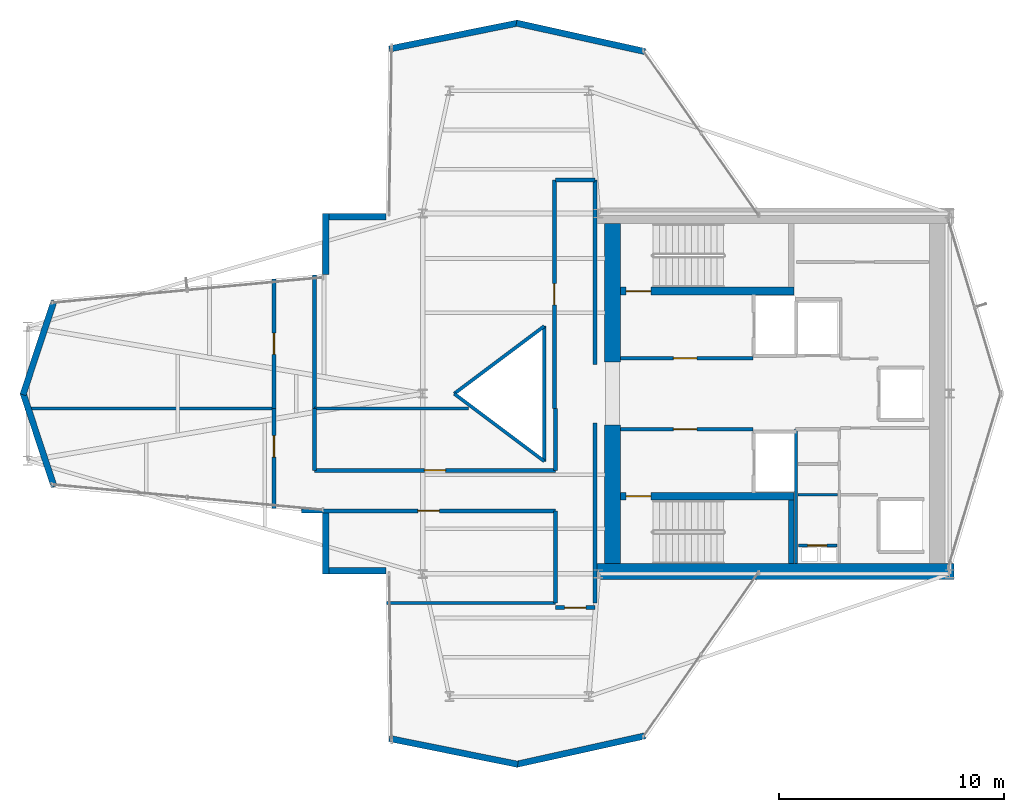
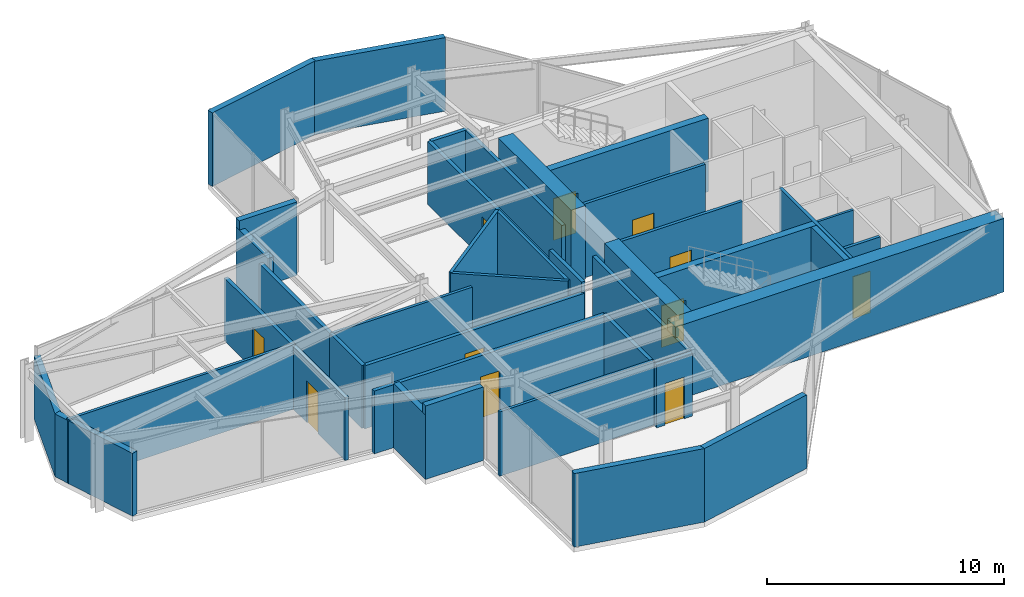
# One storey, part 20 of 22: 40 walls, 11 doors, 11 openings.
"""IFC4 building model written with IfcOpenShell, lengths in metres."""

from ifc_helpers import new_model, si_unit, direction, frame, frame_2d, origin, place, context, subcontext, project, spatial, rectangle, extrude, material, layer, layer_set, type_object, element, fill, save


model = new_model("IFC4")

# Units and contexts
model_context = context("Model", 3, precision=1e-05, world=origin(), true_north=direction((0.0, 1.0)))
body_context = subcontext(model_context, "Body", "Model", "MODEL_VIEW")
ifc_project = project(units=[si_unit("LENGTHUNIT", "METRE"), si_unit("AREAUNIT", "SQUARE_METRE"), si_unit("VOLUMEUNIT", "CUBIC_METRE"), si_unit("PLANEANGLEUNIT", "RADIAN"), si_unit("MASSUNIT", "GRAM", prefix="KILO")], contexts=[model_context])

# Site, building, storey
site_placement = place(None, origin())
site = spatial("IfcSite", under=ifc_project, at=site_placement, CompositionType="ELEMENT")
building_placement = place(site_placement, origin())
building = spatial("IfcBuilding", under=site, at=building_placement, Name="Veymaron Broadcast Tower", CompositionType="ELEMENT")
storey_placement = place(building_placement, frame((0.0, 0.0, 216.14990234375)))
storey = spatial("IfcBuildingStorey", under=building, at=storey_placement, Name="L50", CompositionType="ELEMENT", Elevation=216.14990234375)

# Walls
ifc_material_1 = material(Name="Precast concrete C40/50", Category="concrete")
ifc_layer_1 = layer(ifc_material_1, 0.280029296875)
ifc_layer_set_1 = layer_set([ifc_layer_1], Name="Precast concrete C40/50")
wall_type_1 = type_object("IfcWallType", Name="WALL-EXT-280", PredefinedType="STANDARD", material=ifc_layer_set_1)
wall_1_placement = place(storey_placement, frame((41.072021484375, 39.193359375, 0.0), z_axis=(0.0, 0.0, 1.0), x_axis=(-0.976309738065, 0.216377668346, 0.0)))
element("IfcWall", 1, at=wall_1_placement, inside=storey, type_object=wall_type_1, Name="L50 notched corner facade pier 6-1", PredefinedType="STANDARD", context=body_context, shape_type="SweptSolid", body=[
    extrude(rectangle(XDim=5.845703125, YDim=0.280029296875, at=frame_2d((2.9228515625, 0.0))), origin(), (0.0, 0.0, 1.0), 3.7900390625),
])
wall_2_placement = place(storey_placement, frame((35.422607421875, 40.457763671875, 0.0), z_axis=(0.0, 0.0, 1.0), x_axis=(-0.98030065813, -0.197511062146, 0.0)))
element("IfcWall", 2, at=wall_2_placement, inside=storey, type_object=wall_type_1, Name="L50 notched corner facade pier 7-1", PredefinedType="STANDARD", context=body_context, shape_type="SweptSolid", body=[
    extrude(rectangle(XDim=5.822021484375, YDim=0.280029296875, at=frame_2d((2.9111328125, 0.0))), origin(), (0.0, 0.0, 1.0), 3.7900390625),
])
wall_3_placement = place(storey_placement, frame((29.572509765625, 31.860107421875, 0.0), z_axis=(0.0, 0.0, 1.0), x_axis=(-1.0, 0.0, 0.0)))
element("IfcWall", 3, at=wall_3_placement, inside=storey, type_object=wall_type_1, Name="L50 notched corner facade pier 9-1", PredefinedType="STANDARD", context=body_context, shape_type="SweptSolid", body=[
    extrude(rectangle(XDim=2.8125, YDim=0.280029296875, at=frame_2d((1.40625, 0.0))), origin(), (0.0, 0.0, 1.0), 3.7900390625),
])
wall_4_placement = place(storey_placement, frame((26.89990234375, 32.0, 0.0), z_axis=(0.0, 0.0, 1.0), x_axis=(0.0, -1.0, 0.0)))
element("IfcWall", 4, at=wall_4_placement, inside=storey, type_object=wall_type_1, Name="L50 notched corner facade pier 10-1", PredefinedType="STANDARD", context=body_context, shape_type="SweptSolid", body=[
    extrude(rectangle(XDim=2.69970703125, YDim=0.280029296875, at=frame_2d((1.349853515625, 0.0))), origin(), (0.0, 0.0, 1.0), 3.319091796875),
])
for number, where, z_axis, x_axis, name in (
    (5, (14.8330078125, 28.126708984375, 0.0), (0.0, 0.0, 1.0), (-0.314159663404, -0.949370162734, 0.0), "L50 notched corner facade pier 12-1"),
    (6, (13.452880859375, 24.0439453125, 0.0), (0.0, 0.0, 1.0), (0.314159663404, -0.949370162734, 0.0), "L50 notched corner facade pier 13-1"),
):
    element("IfcWall", number, at=place(storey_placement, frame(where, z_axis=z_axis, x_axis=x_axis)), inside=storey, type_object=wall_type_1, Name=name, PredefinedType="STANDARD", context=body_context, shape_type="SweptSolid", body=[
        extrude(rectangle(XDim=4.39306640625, YDim=0.280029296875, at=frame_2d((2.196533203125, 0.0))), origin(), (0.0, 0.0, 1.0), 3.2412109375),
    ])
wall_5_placement = place(storey_placement, frame((26.89990234375, 18.69970703125, 0.0), z_axis=(0.0, 0.0, 1.0), x_axis=(0.0, -1.0, 0.0)))
element("IfcWall", 7, at=wall_5_placement, inside=storey, type_object=wall_type_1, Name="L50 notched corner facade pier 15-1", PredefinedType="STANDARD", context=body_context, shape_type="SweptSolid", body=[
    extrude(rectangle(XDim=2.69970703125, YDim=0.280029296875, at=frame_2d((1.349853515625, 0.0))), origin(), (0.0, 0.0, 1.0), 3.319091796875),
])
wall_6_placement = place(storey_placement, frame((26.760009765625, 16.139892578125, 0.0), z_axis=(0.0, 0.0, 1.0), x_axis=(1.0, 0.0, 0.0)))
element("IfcWall", 8, at=wall_6_placement, inside=storey, type_object=wall_type_1, Name="L50 notched corner facade pier 16-1", PredefinedType="STANDARD", context=body_context, shape_type="SweptSolid", body=[
    extrude(rectangle(XDim=2.8125, YDim=0.280029296875, at=frame_2d((1.40625, 0.0))), origin(), (0.0, 0.0, 1.0), 3.7900390625),
])
wall_7_placement = place(storey_placement, frame((29.71533203125, 8.692138671875, 0.0), z_axis=(0.0, 0.0, 1.0), x_axis=(0.98030065813, -0.197511062146, 0.0)))
element("IfcWall", 9, at=wall_7_placement, inside=storey, type_object=wall_type_1, Name="L50 notched corner facade pier 18-1", PredefinedType="STANDARD", context=body_context, shape_type="SweptSolid", body=[
    extrude(rectangle(XDim=5.822021484375, YDim=0.280029296875, at=frame_2d((2.9111328125, 0.0))), origin(), (0.0, 0.0, 1.0), 3.7900390625),
])
wall_8_placement = place(storey_placement, frame((35.36474609375, 7.541748046875, 0.0), z_axis=(0.0, 0.0, 1.0), x_axis=(0.976309738065, 0.216377668346, 0.0)))
element("IfcWall", 10, at=wall_8_placement, inside=storey, type_object=wall_type_1, Name="L50 notched corner facade pier 19-1", PredefinedType="STANDARD", context=body_context, shape_type="SweptSolid", body=[
    extrude(rectangle(XDim=5.845703125, YDim=0.280029296875, at=frame_2d((2.9228515625, 0.0))), origin(), (0.0, 0.0, 1.0), 3.7900390625),
])

# Wall, opening, door
ifc_material_2 = material(Name="Gypsum fireboard and steel stud framing", Category="steel")
ifc_layer_2 = layer(ifc_material_2, 0.14990234375)
ifc_layer_set_2 = layer_set([ifc_layer_2], Name="Gypsum fireboard and steel stud framing")
wall_type_2 = type_object("IfcWallType", Name="WALL-FIRE-150", PredefinedType="PARTITIONING", material=ifc_layer_set_2)
wall_9_placement = place(storey_placement, frame((39.97998046875, 25.574951171875, 0.0), z_axis=(0.0, 0.0, 1.0), x_axis=(1.0, 0.0, 0.0)))
wall_9 = element("IfcWall", 11, at=wall_9_placement, inside=storey, type_object=wall_type_2, Name="L50 partition IW-L50-FFLN-S", PredefinedType="PARTITIONING", context=body_context, shape_type="SweptSolid", body=[
    extrude(rectangle(XDim=5.89990234375, YDim=0.14990234375, at=frame_2d((2.949951171875, 0.0))), origin(), (0.0, 0.0, 1.0), 3.7900390625),
])
opening_1_placement = place(wall_9_placement, frame((2.35009765625, 0.0, 0.0)))
opening_1 = element("IfcOpeningElement", 12, at=opening_1_placement, cuts=wall_9, Name="Opening ID-FL1", PredefinedType="OPENING", context=body_context, shape_type="SweptSolid", body=[
    extrude(rectangle(XDim=1.050048828125, YDim=2.14990234375, at=frame_2d((0.52490234375, 1.074951171875))), frame((0.0, 0.0849609375, 0.0), z_axis=(0.0, -1.0, 0.0), x_axis=(1.0, 0.0, 0.0)), (0.0, 0.0, 1.0), 0.169921875),
])
ifc_material_3 = material(Name="Fire-rated painted hollow steel ASTM A653", Category="steel")
door_type_1 = type_object("IfcDoorType", Name="DOOR-FIRE-1050", OperationType="NOTDEFINED", PredefinedType="DOOR", material=ifc_material_3)
door_1_placement = place(opening_1_placement, origin())
door_1 = element("IfcDoor", 13, at=door_1_placement, inside=storey, type_object=door_type_1, Name="L50 door DR-L50-FFLN", OperationType="SINGLE_SWING_LEFT", OverallHeight=2.14990234375, OverallWidth=1.050048828125, PredefinedType="DOOR", context=body_context, shape_type="SweptSolid", body=[
    extrude(rectangle(XDim=1.050048828125, YDim=2.14990234375, at=frame_2d((0.52490234375, 1.074951171875))), frame((0.0, 0.02490234375, 0.0), z_axis=(0.0, -1.0, 0.0), x_axis=(1.0, 0.0, 0.0)), (0.0, 0.0, 1.0), 0.050048828125),
])
fill(opening_1, door_1)

wall_10_placement = place(storey_placement, frame((39.97998046875, 22.425048828125, 0.0), z_axis=(0.0, 0.0, 1.0), x_axis=(1.0, 0.0, 0.0)))
wall_10 = element("IfcWall", 14, at=wall_10_placement, inside=storey, type_object=wall_type_2, Name="L50 partition IW-L50-FFLS-N", PredefinedType="PARTITIONING", context=body_context, shape_type="SweptSolid", body=[
    extrude(rectangle(XDim=5.89990234375, YDim=0.14990234375, at=frame_2d((2.949951171875, 0.0))), origin(), (0.0, 0.0, 1.0), 3.7900390625),
])
opening_2_placement = place(wall_10_placement, frame((2.35009765625, 0.0, 0.0)))
opening_2 = element("IfcOpeningElement", 15, at=opening_2_placement, cuts=wall_10, Name="Opening ID-FL1", PredefinedType="OPENING", context=body_context, shape_type="SweptSolid", body=[
    extrude(rectangle(XDim=1.050048828125, YDim=2.14990234375, at=frame_2d((0.52490234375, 1.074951171875))), frame((0.0, 0.0849609375, 0.0), z_axis=(0.0, -1.0, 0.0), x_axis=(1.0, 0.0, 0.0)), (0.0, 0.0, 1.0), 0.169921875),
])
door_2_placement = place(opening_2_placement, frame((1.050048828125, 0.0, 0.0), z_axis=(0.0, 0.0, 1.0), x_axis=(-1.0, 0.0, 0.0)))
door_2 = element("IfcDoor", 16, at=door_2_placement, inside=storey, type_object=door_type_1, Name="L50 door DR-L50-FFLS", OperationType="SINGLE_SWING_RIGHT", OverallHeight=2.14990234375, OverallWidth=1.050048828125, PredefinedType="DOOR", context=body_context, shape_type="SweptSolid", body=[
    extrude(rectangle(XDim=1.050048828125, YDim=2.14990234375, at=frame_2d((0.52490234375, 1.074951171875))), frame((0.0, 0.02490234375, 0.0), z_axis=(0.0, -1.0, 0.0), x_axis=(1.0, 0.0, 0.0)), (0.0, 0.0, 1.0), 0.050048828125),
])
fill(opening_2, door_2)

wall_11_placement = place(storey_placement, frame((47.8798828125, 17.260009765625, 0.0), z_axis=(0.0, 0.0, 1.0), x_axis=(1.0, 0.0, 0.0)))
wall_11 = element("IfcWall", 17, at=wall_11_placement, inside=storey, type_object=wall_type_2, Name="L50 partition IW-L50-RIS-N", PredefinedType="PARTITIONING", context=body_context, shape_type="SweptSolid", body=[
    extrude(rectangle(XDim=1.72021484375, YDim=0.14990234375, at=frame_2d((0.860107421875, 0.0))), origin(), (0.0, 0.0, 1.0), 3.7900390625),
])
opening_3_placement = place(wall_11_placement, frame((0.419921875, 0.0, 0.0)))
opening_3 = element("IfcOpeningElement", 18, at=opening_3_placement, cuts=wall_11, Name="Opening ID-RS1", PredefinedType="OPENING", context=body_context, shape_type="SweptSolid", body=[
    extrude(rectangle(XDim=0.85009765625, YDim=2.14990234375, at=frame_2d((0.425048828125, 1.074951171875))), frame((0.0, 0.0849609375, 0.0), z_axis=(0.0, -1.0, 0.0), x_axis=(1.0, 0.0, 0.0)), (0.0, 0.0, 1.0), 0.169921875),
])
ifc_material_4 = material(Name="Fire-rated powder-coated steel riser leaf", Category="steel")
door_type_2 = type_object("IfcDoorType", Name="DOOR-RIS-850", OperationType="NOTDEFINED", PredefinedType="TRAPDOOR", material=ifc_material_4)
door_3_placement = place(opening_3_placement, origin())
door_3 = element("IfcDoor", 19, at=door_3_placement, inside=storey, type_object=door_type_2, Name="L50 door DR-L50-RIS", OperationType="SINGLE_SWING_LEFT", OverallHeight=2.14990234375, OverallWidth=0.85009765625, PredefinedType="TRAPDOOR", context=body_context, shape_type="SweptSolid", body=[
    extrude(rectangle(XDim=0.85009765625, YDim=2.14990234375, at=frame_2d((0.425048828125, 1.074951171875))), frame((0.0, 0.02490234375, 0.0), z_axis=(0.0, -1.0, 0.0), x_axis=(1.0, 0.0, 0.0)), (0.0, 0.0, 1.0), 0.050048828125),
])
fill(opening_3, door_3)

# Wall
wall_12_placement = place(storey_placement, frame((47.780029296875, 16.449951171875, 0.0), z_axis=(0.0, 0.0, 1.0), x_axis=(0.0, 1.0, 0.0)))
element("IfcWall", 20, at=wall_12_placement, inside=storey, type_object=wall_type_2, Name="L50 partition IW-L50-SM-W", PredefinedType="PARTITIONING", context=body_context, shape_type="SweptSolid", body=[
    extrude(rectangle(XDim=5.97509765625, YDim=0.14990234375, at=frame_2d((2.987548828125, 0.0))), origin(), (0.0, 0.0, 1.0), 3.7900390625),
])

# Wall, opening, door
ifc_material_5 = material(Name="Concrete C40/50", Category="concrete")
ifc_layer_3 = layer(ifc_material_5, 0.179931640625)
ifc_layer_set_3 = layer_set([ifc_layer_3], Name="Concrete C40/50")
wall_type_3 = type_object("IfcWallType", Name="WALL-FIRE-180", PredefinedType="SOLIDWALL", material=ifc_layer_set_3)
wall_13_placement = place(storey_placement, frame((37.10009765625, 14.5, 0.0), z_axis=(0.0, 0.0, 1.0), x_axis=(1.0, 0.0, 0.0)))
wall_13 = element("IfcWall", 21, at=wall_13_placement, inside=storey, type_object=wall_type_3, Name="L50 partition IW-L50-P02", PredefinedType="SOLIDWALL", context=body_context, shape_type="SweptSolid", body=[
    extrude(rectangle(XDim=1.75, YDim=0.179931640625, at=frame_2d((0.875, 0.0))), origin(), (0.0, 0.0, 1.0), 3.2412109375),
])
opening_4_placement = place(wall_13_placement, frame((0.39990234375, 0.0, 0.0)))
opening_4 = element("IfcOpeningElement", 22, at=opening_4_placement, cuts=wall_13, Name="Opening ID-RM1", PredefinedType="OPENING", context=body_context, shape_type="SweptSolid", body=[
    extrude(rectangle(XDim=0.949951171875, YDim=2.14990234375, at=frame_2d((0.47509765625, 1.074951171875))), frame((0.0, 0.10009765625, 0.0), z_axis=(0.0, -1.0, 0.0), x_axis=(1.0, 0.0, 0.0)), (0.0, 0.0, 1.0), 0.199951171875),
])
ifc_material_6 = material(Name="Acoustic solid-core European oak veneer timber", Category="wood")
door_type_3 = type_object("IfcDoorType", Name="DOOR-INT-950", OperationType="NOTDEFINED", PredefinedType="DOOR", material=ifc_material_6)
door_4_placement = place(opening_4_placement, frame((0.949951171875, 0.0, 0.0), z_axis=(0.0, 0.0, 1.0), x_axis=(-1.0, 0.0, 0.0)))
door_4 = element("IfcDoor", 23, at=door_4_placement, inside=storey, type_object=door_type_3, Name="L50 door DR-L50-P02", OperationType="SINGLE_SWING_LEFT", OverallHeight=2.14990234375, OverallWidth=0.949951171875, PredefinedType="DOOR", context=body_context, shape_type="SweptSolid", body=[
    extrude(rectangle(XDim=0.949951171875, YDim=2.14990234375, at=frame_2d((0.47509765625, 1.074951171875))), frame((0.0, 0.02490234375, 0.0), z_axis=(0.0, -1.0, 0.0), x_axis=(1.0, 0.0, 0.0)), (0.0, 0.0, 1.0), 0.050048828125),
])
fill(opening_4, door_4)

wall_14_placement = place(storey_placement, frame((25.828125, 18.800048828125, 0.0), z_axis=(0.0, 0.0, 1.0), x_axis=(1.0, 0.0, 0.0)))
wall_14 = element("IfcWall", 24, at=wall_14_placement, inside=storey, type_object=wall_type_3, Name="L50 partition IW-L50-P03", PredefinedType="SOLIDWALL", context=body_context, shape_type="SweptSolid", body=[
    extrude(rectangle(XDim=11.27197265625, YDim=0.179931640625, at=frame_2d((5.635986328125, 0.0))), origin(), (0.0, 0.0, 1.0), 3.2412109375),
])
opening_5_placement = place(wall_14_placement, frame((5.160888671875, 0.0, 0.0)))
opening_5 = element("IfcOpeningElement", 25, at=opening_5_placement, cuts=wall_14, Name="Opening ID-RM1", PredefinedType="OPENING", context=body_context, shape_type="SweptSolid", body=[
    extrude(rectangle(XDim=0.949951171875, YDim=2.14990234375, at=frame_2d((0.47509765625, 1.074951171875))), frame((0.0, 0.10009765625, 0.0), z_axis=(0.0, -1.0, 0.0), x_axis=(1.0, 0.0, 0.0)), (0.0, 0.0, 1.0), 0.199951171875),
])
door_5_placement = place(opening_5_placement, frame((0.949951171875, 0.0, 0.0), z_axis=(0.0, 0.0, 1.0), x_axis=(-1.0, 0.0, 0.0)))
door_5 = element("IfcDoor", 26, at=door_5_placement, inside=storey, type_object=door_type_3, Name="L50 door DR-L50-P03", OperationType="SINGLE_SWING_RIGHT", OverallHeight=2.14990234375, OverallWidth=0.949951171875, PredefinedType="DOOR", context=body_context, shape_type="SweptSolid", body=[
    extrude(rectangle(XDim=0.949951171875, YDim=2.14990234375, at=frame_2d((0.47509765625, 1.074951171875))), frame((0.0, 0.02490234375, 0.0), z_axis=(0.0, -1.0, 0.0), x_axis=(1.0, 0.0, 0.0)), (0.0, 0.0, 1.0), 0.050048828125),
])
fill(opening_5, door_5)

wall_15_placement = place(storey_placement, frame((24.60009765625, 18.90185546875, 0.0), z_axis=(0.0, 0.0, 1.0), x_axis=(0.0, 1.0, 0.0)))
wall_15 = element("IfcWall", 27, at=wall_15_placement, inside=storey, type_object=wall_type_3, Name="L50 partition IW-L50-P05", PredefinedType="SOLIDWALL", context=body_context, shape_type="SweptSolid", body=[
    extrude(rectangle(XDim=4.43408203125, YDim=0.179931640625, at=frame_2d((2.217041015625, 0.0))), origin(), (0.0, 0.0, 1.0), 3.2412109375),
])
opening_6_placement = place(wall_15_placement, frame((2.281982421875, 0.0, 0.0)))
opening_6 = element("IfcOpeningElement", 28, at=opening_6_placement, cuts=wall_15, Name="Opening ID-RM1", PredefinedType="OPENING", context=body_context, shape_type="SweptSolid", body=[
    extrude(rectangle(XDim=0.949951171875, YDim=2.14990234375, at=frame_2d((0.47509765625, 1.074951171875))), frame((0.0, 0.10009765625, 0.0), z_axis=(0.0, -1.0, 0.0), x_axis=(1.0, 0.0, 0.0)), (0.0, 0.0, 1.0), 0.199951171875),
])
door_6_placement = place(opening_6_placement, origin())
door_6 = element("IfcDoor", 29, at=door_6_placement, inside=storey, type_object=door_type_3, Name="L50 door DR-L50-P05", OperationType="SINGLE_SWING_RIGHT", OverallHeight=2.14990234375, OverallWidth=0.949951171875, PredefinedType="DOOR", context=body_context, shape_type="SweptSolid", body=[
    extrude(rectangle(XDim=0.949951171875, YDim=2.14990234375, at=frame_2d((0.47509765625, 1.074951171875))), frame((0.0, 0.02490234375, 0.0), z_axis=(0.0, -1.0, 0.0), x_axis=(1.0, 0.0, 0.0)), (0.0, 0.0, 1.0), 0.050048828125),
])
fill(opening_6, door_6)

wall_16_placement = place(storey_placement, frame((26.39990234375, 20.60009765625, 0.0), z_axis=(0.0, 0.0, 1.0), x_axis=(1.0, 0.0, 0.0)))
wall_16 = element("IfcWall", 30, at=wall_16_placement, inside=storey, type_object=wall_type_3, Name="L50 partition IW-L50-P06", PredefinedType="SOLIDWALL", context=body_context, shape_type="SweptSolid", body=[
    extrude(rectangle(XDim=10.7001953125, YDim=0.179931640625, at=frame_2d((5.35009765625, 0.0))), origin(), (0.0, 0.0, 1.0), 3.2412109375),
])
opening_7_placement = place(wall_16_placement, frame((4.875, 0.0, 0.0)))
opening_7 = element("IfcOpeningElement", 31, at=opening_7_placement, cuts=wall_16, Name="Opening ID-RM1", PredefinedType="OPENING", context=body_context, shape_type="SweptSolid", body=[
    extrude(rectangle(XDim=0.949951171875, YDim=2.14990234375, at=frame_2d((0.47509765625, 1.074951171875))), frame((0.0, 0.10009765625, 0.0), z_axis=(0.0, -1.0, 0.0), x_axis=(1.0, 0.0, 0.0)), (0.0, 0.0, 1.0), 0.199951171875),
])
door_7_placement = place(opening_7_placement, origin())
door_7 = element("IfcDoor", 32, at=door_7_placement, inside=storey, type_object=door_type_3, Name="L50 door DR-L50-P06", OperationType="SINGLE_SWING_LEFT", OverallHeight=2.14990234375, OverallWidth=0.949951171875, PredefinedType="DOOR", context=body_context, shape_type="SweptSolid", body=[
    extrude(rectangle(XDim=0.949951171875, YDim=2.14990234375, at=frame_2d((0.47509765625, 1.074951171875))), frame((0.0, 0.02490234375, 0.0), z_axis=(0.0, -1.0, 0.0), x_axis=(1.0, 0.0, 0.0)), (0.0, 0.0, 1.0), 0.050048828125),
])
fill(opening_7, door_7)

wall_17_placement = place(storey_placement, frame((24.60009765625, 23.3359375, 0.0), z_axis=(0.0, 0.0, 1.0), x_axis=(0.0, 1.0, 0.0)))
wall_17 = element("IfcWall", 33, at=wall_17_placement, inside=storey, type_object=wall_type_3, Name="L50 partition IW-L50-P09", PredefinedType="SOLIDWALL", context=body_context, shape_type="SweptSolid", body=[
    extrude(rectangle(XDim=5.76220703125, YDim=0.179931640625, at=frame_2d((2.881103515625, 0.0))), origin(), (0.0, 0.0, 1.0), 3.2412109375),
])
opening_8_placement = place(wall_17_placement, frame((2.406005859375, 0.0, 0.0)))
opening_8 = element("IfcOpeningElement", 34, at=opening_8_placement, cuts=wall_17, Name="Opening ID-RM1", PredefinedType="OPENING", context=body_context, shape_type="SweptSolid", body=[
    extrude(rectangle(XDim=0.949951171875, YDim=2.14990234375, at=frame_2d((0.47509765625, 1.074951171875))), frame((0.0, 0.10009765625, 0.0), z_axis=(0.0, -1.0, 0.0), x_axis=(1.0, 0.0, 0.0)), (0.0, 0.0, 1.0), 0.199951171875),
])
door_8_placement = place(opening_8_placement, origin())
door_8 = element("IfcDoor", 35, at=door_8_placement, inside=storey, type_object=door_type_3, Name="L50 door DR-L50-P09", OperationType="SINGLE_SWING_RIGHT", OverallHeight=2.14990234375, OverallWidth=0.949951171875, PredefinedType="DOOR", context=body_context, shape_type="SweptSolid", body=[
    extrude(rectangle(XDim=0.949951171875, YDim=2.14990234375, at=frame_2d((0.47509765625, 1.074951171875))), frame((0.0, 0.02490234375, 0.0), z_axis=(0.0, -1.0, 0.0), x_axis=(1.0, 0.0, 0.0)), (0.0, 0.0, 1.0), 0.050048828125),
])
fill(opening_8, door_8)

wall_18_placement = place(storey_placement, frame((37.050048828125, 23.3359375, 0.0), z_axis=(0.0, 0.0, 1.0), x_axis=(0.0, 1.0, 0.0)))
wall_18 = element("IfcWall", 36, at=wall_18_placement, inside=storey, type_object=wall_type_3, Name="L50 partition IW-L50-P10", PredefinedType="SOLIDWALL", context=body_context, shape_type="SweptSolid", body=[
    extrude(rectangle(XDim=10.1640625, YDim=0.179931640625, at=frame_2d((5.08203125, 0.0))), origin(), (0.0, 0.0, 1.0), 3.2412109375),
])
opening_9_placement = place(wall_18_placement, frame((4.60693359375, 0.0, 0.0)))
opening_9 = element("IfcOpeningElement", 37, at=opening_9_placement, cuts=wall_18, Name="Opening ID-RM1", PredefinedType="OPENING", context=body_context, shape_type="SweptSolid", body=[
    extrude(rectangle(XDim=0.949951171875, YDim=2.14990234375, at=frame_2d((0.47509765625, 1.074951171875))), frame((0.0, 0.10009765625, 0.0), z_axis=(0.0, -1.0, 0.0), x_axis=(1.0, 0.0, 0.0)), (0.0, 0.0, 1.0), 0.199951171875),
])
door_9_placement = place(opening_9_placement, origin())
door_9 = element("IfcDoor", 38, at=door_9_placement, inside=storey, type_object=door_type_3, Name="L50 door DR-L50-P10", OperationType="SINGLE_SWING_LEFT", OverallHeight=2.14990234375, OverallWidth=0.949951171875, PredefinedType="DOOR", context=body_context, shape_type="SweptSolid", body=[
    extrude(rectangle(XDim=0.949951171875, YDim=2.14990234375, at=frame_2d((0.47509765625, 1.074951171875))), frame((0.0, 0.02490234375, 0.0), z_axis=(0.0, -1.0, 0.0), x_axis=(1.0, 0.0, 0.0)), (0.0, 0.0, 1.0), 0.050048828125),
])
fill(opening_9, door_9)

# Walls
wall_19_placement = place(storey_placement, frame((38.85009765625, 14.70703125, 0.0), z_axis=(0.0, 0.0, 1.0), x_axis=(0.0, 1.0, 0.0)))
element("IfcWall", 39, at=wall_19_placement, inside=storey, type_object=wall_type_3, Name="L50 partition IW-L50-P01", PredefinedType="SOLIDWALL", context=body_context, shape_type="SweptSolid", body=[
    extrude(rectangle(XDim=7.992919921875, YDim=0.179931640625, at=frame_2d((3.99658203125, 0.0))), origin(), (0.0, 0.0, 1.0), 3.2412109375),
])
wall_20_placement = place(storey_placement, frame((37.10009765625, 14.70703125, 0.0), z_axis=(0.0, 0.0, 1.0), x_axis=(0.0, 1.0, 0.0)))
element("IfcWall", 40, at=wall_20_placement, inside=storey, type_object=wall_type_3, Name="L50 partition IW-L50-P04", PredefinedType="SOLIDWALL", context=body_context, shape_type="SweptSolid", body=[
    extrude(rectangle(XDim=4.093017578125, YDim=0.179931640625, at=frame_2d((2.04638671875, 0.0))), origin(), (0.0, 0.0, 1.0), 3.2412109375),
])
wall_21_placement = place(storey_placement, frame((26.39990234375, 20.60009765625, 0.0), z_axis=(0.0, 0.0, 1.0), x_axis=(0.0, 1.0, 0.0)))
element("IfcWall", 41, at=wall_21_placement, inside=storey, type_object=wall_type_3, Name="L50 partition IW-L50-P07", PredefinedType="SOLIDWALL", context=body_context, shape_type="SweptSolid", body=[
    extrude(rectangle(XDim=2.73583984375, YDim=0.179931640625, at=frame_2d((1.367919921875, 0.0))), origin(), (0.0, 0.0, 1.0), 3.2412109375),
])
wall_22_placement = place(storey_placement, frame((37.10009765625, 20.60009765625, 0.0), z_axis=(0.0, 0.0, 1.0), x_axis=(0.0, 1.0, 0.0)))
element("IfcWall", 42, at=wall_22_placement, inside=storey, type_object=wall_type_3, Name="L50 partition IW-L50-P08", PredefinedType="SOLIDWALL", context=body_context, shape_type="SweptSolid", body=[
    extrude(rectangle(XDim=2.73583984375, YDim=0.179931640625, at=frame_2d((1.367919921875, 0.0))), origin(), (0.0, 0.0, 1.0), 3.7900390625),
])
wall_23_placement = place(storey_placement, frame((38.85009765625, 25.300048828125, 0.0), z_axis=(0.0, 0.0, 1.0), x_axis=(0.0, 1.0, 0.0)))
element("IfcWall", 43, at=wall_23_placement, inside=storey, type_object=wall_type_3, Name="L50 partition IW-L50-P11", PredefinedType="SOLIDWALL", context=body_context, shape_type="SweptSolid", body=[
    extrude(rectangle(XDim=8.199951171875, YDim=0.179931640625, at=frame_2d((4.10009765625, 0.0))), origin(), (0.0, 0.0, 1.0), 3.2412109375),
])
wall_24_placement = place(storey_placement, frame((26.39990234375, 23.3359375, 0.0), z_axis=(0.0, 0.0, 1.0), x_axis=(0.0, 1.0, 0.0)))
element("IfcWall", 44, at=wall_24_placement, inside=storey, type_object=wall_type_3, Name="L50 partition IW-L50-P12", PredefinedType="SOLIDWALL", context=body_context, shape_type="SweptSolid", body=[
    extrude(rectangle(XDim=5.9306640625, YDim=0.179931640625, at=frame_2d((2.96533203125, 0.0))), origin(), (0.0, 0.0, 1.0), 3.2412109375),
])
wall_25_placement = place(storey_placement, frame((37.10009765625, 33.5, 0.0), z_axis=(0.0, 0.0, 1.0), x_axis=(1.0, 0.0, 0.0)))
element("IfcWall", 45, at=wall_25_placement, inside=storey, type_object=wall_type_3, Name="L50 partition IW-L50-P13", PredefinedType="SOLIDWALL", context=body_context, shape_type="SweptSolid", body=[
    extrude(rectangle(XDim=1.75, YDim=0.179931640625, at=frame_2d((0.875, 0.0))), origin(), (0.0, 0.0, 1.0), 3.2412109375),
])
ifc_material_7 = material(Name="Fire-rated laminated glass in aluminium frame", Category="aluminium")
ifc_layer_4 = layer(ifc_material_7, 0.14990234375)
ifc_layer_set_4 = layer_set([ifc_layer_4], Name="Fire-rated laminated glass in aluminium frame")
wall_type_4 = type_object("IfcWallType", Name="WALL-GLZ-150", PredefinedType="MOVABLE", material=ifc_layer_set_4)
wall_26_placement = place(storey_placement, frame((32.60009765625, 24.0, 0.0), z_axis=(0.0, 0.0, 1.0), x_axis=(0.8, -0.6, 0.0)))
element("IfcWall", 46, at=wall_26_placement, inside=storey, type_object=wall_type_4, Name="L50 partition IW-L50-ATR1", PredefinedType="MOVABLE", context=body_context, shape_type="SweptSolid", body=[
    extrude(rectangle(XDim=5.0, YDim=0.14990234375, at=frame_2d((2.5, 0.0))), origin(), (0.0, 0.0, 1.0), 3.7900390625),
])
wall_27_placement = place(storey_placement, frame((36.60009765625, 21.0, 0.0), z_axis=(0.0, 0.0, 1.0), x_axis=(0.0, 1.0, 0.0)))
element("IfcWall", 47, at=wall_27_placement, inside=storey, type_object=wall_type_4, Name="L50 partition IW-L50-ATR2", PredefinedType="MOVABLE", context=body_context, shape_type="SweptSolid", body=[
    extrude(rectangle(XDim=6.0, YDim=0.14990234375, at=frame_2d((3.0, 0.0))), origin(), (0.0, 0.0, 1.0), 3.7900390625),
])
wall_28_placement = place(storey_placement, frame((36.60009765625, 27.0, 0.0), z_axis=(0.0, 0.0, 1.0), x_axis=(-0.8, -0.6, 0.0)))
element("IfcWall", 48, at=wall_28_placement, inside=storey, type_object=wall_type_4, Name="L50 partition IW-L50-ATR3", PredefinedType="MOVABLE", context=body_context, shape_type="SweptSolid", body=[
    extrude(rectangle(XDim=5.0, YDim=0.14990234375, at=frame_2d((2.5, 0.0))), origin(), (0.0, 0.0, 1.0), 3.7900390625),
])
ifc_material_8 = material(Name="Acoustic gypsum board and galvanized stud", Category="gypsum")
ifc_layer_5 = layer(ifc_material_8, 0.1201171875)
ifc_layer_set_5 = layer_set([ifc_layer_5], Name="Acoustic gypsum board and galvanized stud")
wall_type_5 = type_object("IfcWallType", Name="WALL-PART-120", PredefinedType="PARTITIONING", material=ifc_layer_set_5)
wall_29_placement = place(storey_placement, frame((47.860107421875, 19.52001953125, 0.0), z_axis=(0.0, 0.0, 1.0), x_axis=(1.0, 0.0, 0.0)))
element("IfcWall", 49, at=wall_29_placement, inside=storey, type_object=wall_type_5, Name="L50 partition IW-L50-SM-D1", PredefinedType="PARTITIONING", context=body_context, shape_type="SweptSolid", body=[
    extrude(rectangle(XDim=1.760009765625, YDim=0.1201171875, at=frame_2d((0.8798828125, 0.0))), origin(), (0.0, 0.0, 1.0), 3.7900390625),
])
ifc_material_9 = material(Name="Double-layer acoustic gypsum and stud", Category="gypsum")
ifc_layer_6 = layer(ifc_material_9, 0.135009765625)
ifc_layer_set_6 = layer_set([ifc_layer_6], Name="Double-layer acoustic gypsum and stud")
wall_type_6 = type_object("IfcWallType", Name="WALL-PART-135", PredefinedType="PARTITIONING", material=ifc_layer_set_6)
wall_30_placement = place(storey_placement, frame((29.59228515625, 14.70703125, 0.0), z_axis=(0.0, 0.0, 1.0), x_axis=(1.0, 0.0, 0.0)))
element("IfcWall", 50, at=wall_30_placement, inside=storey, type_object=wall_type_6, Name="L50 partition IW-L50-P14", PredefinedType="PARTITIONING", context=body_context, shape_type="SweptSolid", body=[
    extrude(rectangle(XDim=7.5078125, YDim=0.135009765625, at=frame_2d((3.75390625, 0.0))), origin(), (0.0, 0.0, 1.0), 3.319091796875),
])
wall_31_placement = place(storey_placement, frame((13.539794921875, 23.3359375, 0.0), z_axis=(0.0, 0.0, 1.0), x_axis=(1.0, 0.0, 0.0)))
element("IfcWall", 51, at=wall_31_placement, inside=storey, type_object=wall_type_6, Name="L50 partition IW-L50-P15", PredefinedType="PARTITIONING", context=body_context, shape_type="SweptSolid", body=[
    extrude(rectangle(XDim=11.060302734375, YDim=0.135009765625, at=frame_2d((5.5302734375, 0.0))), origin(), (0.0, 0.0, 1.0), 3.319091796875),
])
wall_32_placement = place(storey_placement, frame((26.39990234375, 23.3359375, 0.0), z_axis=(0.0, 0.0, 1.0), x_axis=(1.0, 0.0, 0.0)))
element("IfcWall", 52, at=wall_32_placement, inside=storey, type_object=wall_type_6, Name="L50 partition IW-L50-P16", PredefinedType="PARTITIONING", context=body_context, shape_type="SweptSolid", body=[
    extrude(rectangle(XDim=6.83544921875, YDim=0.135009765625, at=frame_2d((3.417724609375, 0.0))), origin(), (0.0, 0.0, 1.0), 3.2412109375),
])
ifc_material_10 = material(Name="Concrete C50/60", Category="concrete")
ifc_layer_7 = layer(ifc_material_10, 0.25)
ifc_layer_set_7 = layer_set([ifc_layer_7], Name="Concrete C50/60")
wall_type_7 = type_object("IfcWallType", Name="WALL-SHEAR-250", PredefinedType="SHEAR", material=ifc_layer_set_7)
wall_33_placement = place(storey_placement, frame((47.56494140625, 16.449951171875, 0.0), z_axis=(0.0, 0.0, 1.0), x_axis=(0.0, 1.0, 0.0)))
element("IfcWall", 53, at=wall_33_placement, inside=storey, type_object=wall_type_7, Name="L50 Core Wall south stair east shear", PredefinedType="SHEAR", context=body_context, shape_type="SweptSolid", body=[
    extrude(rectangle(XDim=2.820068359375, YDim=0.25, at=frame_2d((1.41015625, 0.0))), origin(), (0.0, 0.0, 1.0), 3.7900390625),
])

# Wall, opening, door
ifc_layer_8 = layer(ifc_material_10, 0.35009765625)
ifc_layer_set_8 = layer_set([ifc_layer_8], Name="Concrete C50/60")
wall_type_8 = type_object("IfcWallType", Name="WALL-SHEAR-350", PredefinedType="SHEAR", material=ifc_layer_set_8)
wall_34_placement = place(storey_placement, frame((39.97998046875, 28.554931640625, 0.0), z_axis=(0.0, 0.0, 1.0), x_axis=(1.0, 0.0, 0.0)))
wall_34 = element("IfcWall", 54, at=wall_34_placement, inside=storey, type_object=wall_type_8, Name="L50 Core Wall north stair spine", PredefinedType="SHEAR", context=body_context, shape_type="SweptSolid", body=[
    extrude(rectangle(XDim=7.7099609375, YDim=0.35009765625, at=frame_2d((3.85498046875, 0.0))), origin(), (0.0, 0.0, 1.0), 3.7900390625),
])
opening_10_placement = place(wall_34_placement, frame((0.25, 0.0, 0.0)))
opening_10 = element("IfcOpeningElement", 55, at=opening_10_placement, cuts=wall_34, Name="Opening ID-ST1", PredefinedType="OPENING", context=body_context, shape_type="SweptSolid", body=[
    extrude(rectangle(XDim=1.10009765625, YDim=2.14990234375, at=frame_2d((0.550048828125, 1.074951171875))), frame((0.0, 0.18505859375, 0.0), z_axis=(0.0, -1.0, 0.0), x_axis=(1.0, 0.0, 0.0)), (0.0, 0.0, 1.0), 0.3701171875),
])
door_type_4 = type_object("IfcDoorType", Name="DOOR-STAIR-1100", OperationType="NOTDEFINED", PredefinedType="DOOR", material=ifc_material_3)
door_10_placement = place(opening_10_placement, origin())
door_10 = element("IfcDoor", 56, at=door_10_placement, inside=storey, type_object=door_type_4, Name="L50 exit stair ST1 fire door", OperationType="SINGLE_SWING_LEFT", OverallHeight=2.14990234375, OverallWidth=1.10009765625, PredefinedType="DOOR", context=body_context, shape_type="SweptSolid", body=[
    extrude(rectangle(XDim=1.10009765625, YDim=2.14990234375, at=frame_2d((0.550048828125, 1.074951171875))), frame((0.0, 0.02490234375, 0.0), z_axis=(0.0, -1.0, 0.0), x_axis=(1.0, 0.0, 0.0)), (0.0, 0.0, 1.0), 0.050048828125),
])
fill(opening_10, door_10)

wall_35_placement = place(storey_placement, frame((39.97998046875, 19.445068359375, 0.0), z_axis=(0.0, 0.0, 1.0), x_axis=(1.0, 0.0, 0.0)))
wall_35 = element("IfcWall", 57, at=wall_35_placement, inside=storey, type_object=wall_type_8, Name="L50 Core Wall south stair spine", PredefinedType="SHEAR", context=body_context, shape_type="SweptSolid", body=[
    extrude(rectangle(XDim=7.7099609375, YDim=0.35009765625, at=frame_2d((3.85498046875, 0.0))), origin(), (0.0, 0.0, 1.0), 3.7900390625),
])
opening_11_placement = place(wall_35_placement, frame((0.25, 0.0, 0.0)))
opening_11 = element("IfcOpeningElement", 58, at=opening_11_placement, cuts=wall_35, Name="Opening ID-ST1", PredefinedType="OPENING", context=body_context, shape_type="SweptSolid", body=[
    extrude(rectangle(XDim=1.10009765625, YDim=2.14990234375, at=frame_2d((0.550048828125, 1.074951171875))), frame((0.0, 0.18505859375, 0.0), z_axis=(0.0, -1.0, 0.0), x_axis=(1.0, 0.0, 0.0)), (0.0, 0.0, 1.0), 0.3701171875),
])
door_11_placement = place(opening_11_placement, frame((1.10009765625, 0.0, 0.0), z_axis=(0.0, 0.0, 1.0), x_axis=(-1.0, 0.0, 0.0)))
door_11 = element("IfcDoor", 59, at=door_11_placement, inside=storey, type_object=door_type_4, Name="L50 exit stair ST2 fire door", OperationType="SINGLE_SWING_RIGHT", OverallHeight=2.14990234375, OverallWidth=1.10009765625, PredefinedType="DOOR", context=body_context, shape_type="SweptSolid", body=[
    extrude(rectangle(XDim=1.10009765625, YDim=2.14990234375, at=frame_2d((0.550048828125, 1.074951171875))), frame((0.0, 0.02490234375, 0.0), z_axis=(0.0, -1.0, 0.0), x_axis=(1.0, 0.0, 0.0)), (0.0, 0.0, 1.0), 0.050048828125),
])
fill(opening_11, door_11)

# Walls
ifc_material_11 = material(Name="Concrete C60/75", Category="concrete")
ifc_layer_9 = layer(ifc_material_11, 0.699951171875)
ifc_layer_set_9 = layer_set([ifc_layer_9], Name="Concrete C60/75")
wall_type_9 = type_object("IfcWallType", Name="WALL-SHEAR-700", PredefinedType="SHEAR", material=ifc_layer_set_9)
wall_36_placement = place(storey_placement, frame((38.800048828125, 16.10009765625, 0.0), z_axis=(0.0, 0.0, 1.0), x_axis=(1.0, 0.0, 0.0)))
element("IfcWall", 60, at=wall_36_placement, inside=storey, type_object=wall_type_9, Name="L50 Core Wall south shear", PredefinedType="SHEAR", context=body_context, shape_type="SweptSolid", body=[
    extrude(rectangle(XDim=16.0, YDim=0.699951171875, at=frame_2d((8.0, 0.0))), origin(), (0.0, 0.0, 1.0), 3.7900390625),
])
for number, where, z_axis, x_axis, name in (
    (61, (39.6298828125, 16.449951171875, 0.0), (0.0, 0.0, 1.0), (0.0, 1.0, 0.0), "L50 Core Wall west-south shear"),
    (62, (39.6298828125, 25.39990234375, 0.0), (0.0, 0.0, 1.0), (0.0, 1.0, 0.0), "L50 Core Wall west-north shear"),
):
    element("IfcWall", number, at=place(storey_placement, frame(where, z_axis=z_axis, x_axis=x_axis)), inside=storey, type_object=wall_type_9, Name=name, PredefinedType="SHEAR", context=body_context, shape_type="SweptSolid", body=[
        extrude(rectangle(XDim=6.150146484375, YDim=0.699951171875, at=frame_2d((3.0751953125, 0.0))), origin(), (0.0, 0.0, 1.0), 3.7900390625),
    ])

save(model, "model.ifc")
